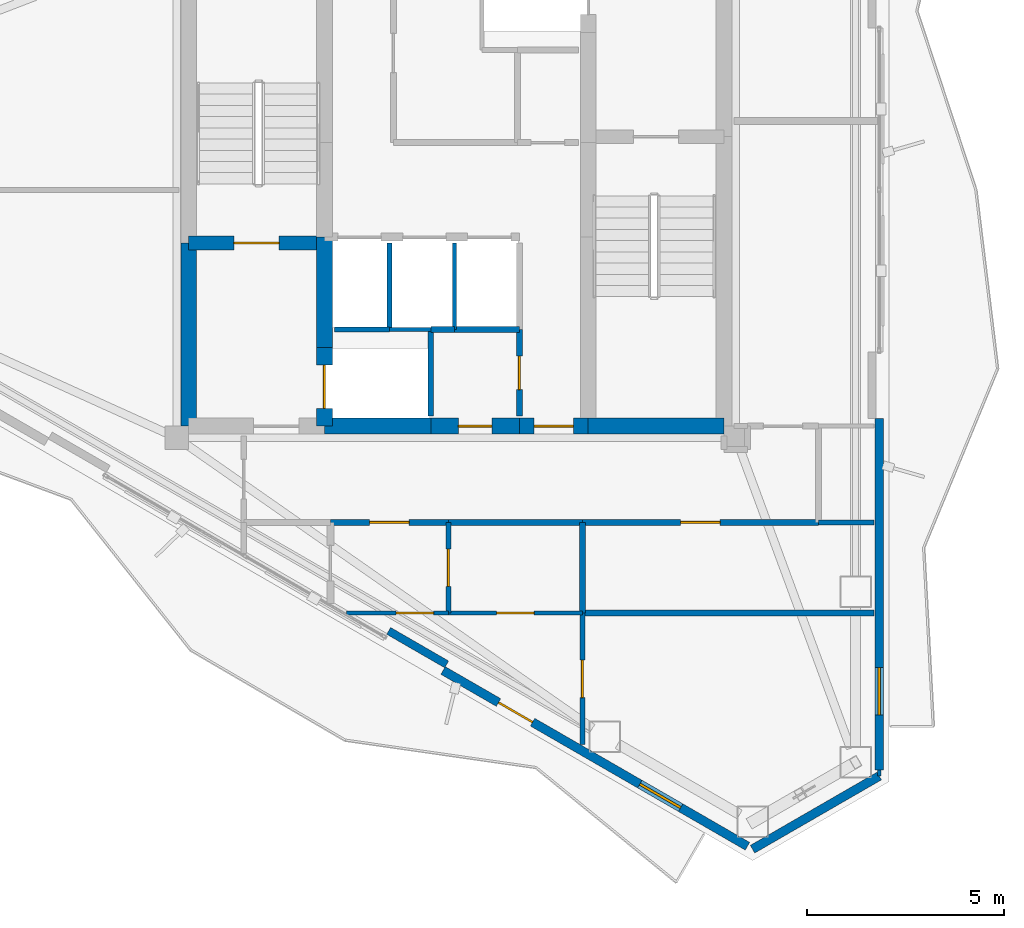
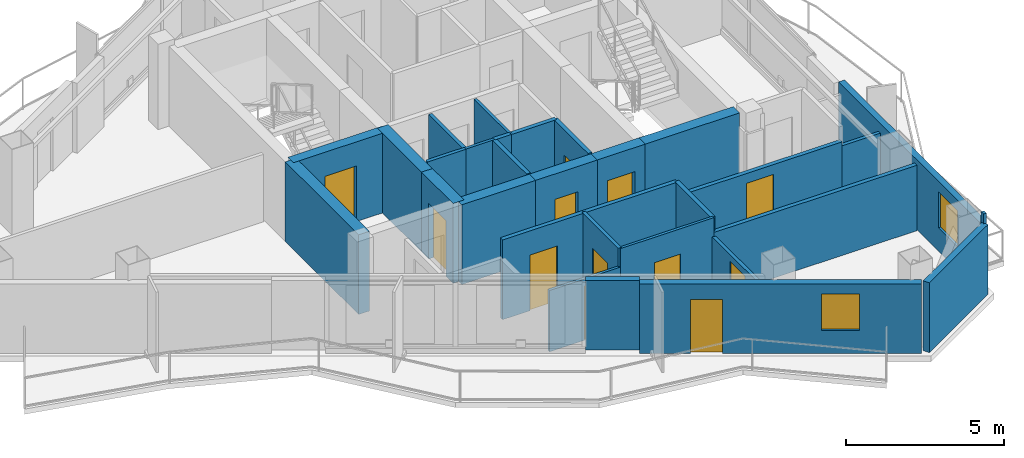
# One storey, part 14 of 18: 31 walls, 12 doors, 2 windows, 14 openings.
"""IFC4 building model written with IfcOpenShell, lengths in metres."""

import ifcopenshell
import ifcopenshell.guid

model = None  # the IFC model being written
_history = None  # IfcOwnerHistory: only IFC2X3 demands one
_inside = {}  # id of a spatial element -> (the spatial element, [elements in it])
_under = {}  # id of a project, library or spatial element -> (it, [spatial elements below it])
_declared = {}  # id of a project -> (the project, [libraries it declares])
_typed = {}  # id of a type object -> (the type object, [elements of that type])
_made_of = {}  # id of a material, layer set ... -> (it, [elements and type objects made of it])


def new_model(schema):
    """Start an empty IFC model of exactly this schema.

    Asked for "IFC4X3", IfcOpenShell would pick the latest addendum, in which some entities
    have other attributes; the version numbers below select the first issue.
    IFC2X3 requires an IfcOwnerHistory on every rooted entity: one is made here for all.
    """
    global model, _history
    if schema == "IFC4X3":
        model = ifcopenshell.file(schema_version=(4, 3, 0, 0))
    else:
        model = ifcopenshell.file(schema=schema)
    _inside.clear()
    _under.clear()
    _declared.clear()
    _typed.clear()
    _made_of.clear()
    _history = None
    if model.schema == "IFC2X3":
        org = make("IfcOrganization", Name="unknown")
        user = make(
            "IfcPersonAndOrganization",
            ThePerson=make("IfcPerson", FamilyName="unknown"),
            TheOrganization=org,
        )
        app = make(
            "IfcApplication",
            ApplicationDeveloper=org,
            Version="unknown",
            ApplicationFullName="unknown",
            ApplicationIdentifier="unknown",
        )
        _history = make(
            "IfcOwnerHistory",
            OwningUser=user,
            OwningApplication=app,
            ChangeAction="ADDED",
            CreationDate=0,
        )
    return model


def make(cls, **values):
    """One entity of the class cls with the attributes given. An attribute that is None is left unset."""
    return model.create_entity(
        cls, **{name: value for name, value in values.items() if value is not None}
    )


def rooted(cls, **values):
    """An entity with a GlobalId (a new one), such as an element, a storey or a relation."""
    return make(cls, GlobalId=ifcopenshell.guid.new(), OwnerHistory=_history, **values)


def si_unit(unit_type, name, prefix=None):
    """IfcSIUnit, for example si_unit("LENGTHUNIT", "METRE", prefix="MILLI")."""
    return make("IfcSIUnit", UnitType=unit_type, Prefix=prefix, Name=name)


def assignment(units):
    """IfcUnitAssignment: the units of a project."""
    return None if units is None else make("IfcUnitAssignment", Units=units)


def point(xyz):
    """IfcCartesianPoint."""
    return None if xyz is None else make("IfcCartesianPoint", Coordinates=xyz)


def direction(xyz):
    """IfcDirection."""
    return None if xyz is None else make("IfcDirection", DirectionRatios=xyz)


def frame(location, z_axis=None, x_axis=None):
    """IfcAxis2Placement3D, a coordinate frame: its origin and axes. An axis left out is left unset."""
    return make(
        "IfcAxis2Placement3D",
        Location=point(location),
        Axis=direction(z_axis),
        RefDirection=direction(x_axis),
    )


def frame_2d(location, x_axis=None):
    """IfcAxis2Placement2D, a coordinate frame in the plane: its origin and x axis."""
    return make(
        "IfcAxis2Placement2D", Location=point(location), RefDirection=direction(x_axis)
    )


def origin():
    """The frame at (0, 0, 0) with its axes left unset."""
    return frame((0.0, 0.0, 0.0))


def place(relative_to, where):
    """IfcLocalPlacement: puts the frame where relative to a parent placement (None: the world)."""
    return make(
        "IfcLocalPlacement", PlacementRelTo=relative_to, RelativePlacement=where
    )


def context(
    kind, dimensions, precision=None, world=None, true_north=None, identifier=None
):
    """IfcGeometricRepresentationContext, for example the 3D "Model" context."""
    return make(
        "IfcGeometricRepresentationContext",
        ContextIdentifier=identifier,
        ContextType=kind,
        CoordinateSpaceDimension=dimensions,
        Precision=precision,
        WorldCoordinateSystem=world,
        TrueNorth=true_north,
    )


def subcontext(parent, identifier, kind, view, scale=None):
    """IfcGeometricRepresentationSubContext, for example "Body" below "Model"."""
    return make(
        "IfcGeometricRepresentationSubContext",
        ContextIdentifier=identifier,
        ContextType=kind,
        ParentContext=parent,
        TargetScale=scale,
        TargetView=view,
    )


def project(units=None, contexts=None):
    """IfcProject with its units and contexts."""
    return rooted(
        "IfcProject",
        Name="project",
        RepresentationContexts=contexts,
        UnitsInContext=assignment(units),
    )


def spatial(cls, under=None, at=None, **own):
    """A site, building, storey or space (cls), placed at a placement, below another one or the project."""
    s = rooted(cls, ObjectPlacement=at, **own)
    if under is not None:
        _under.setdefault(under.id(), (under, []))[1].append(s)
    return s


def profile(cls, at=None, kind="AREA", **sizes):
    """A parametric profile (cls). Its sizes go by their IFC names, for example OverallWidth=200.0."""
    return make(cls, ProfileType=kind, Position=at, **sizes)


def rectangle(**sizes):
    """IfcRectangleProfileDef."""
    return profile("IfcRectangleProfileDef", **sizes)


def extrude(swept, where, along, depth):
    """IfcExtrudedAreaSolid: the profile swept, set in the frame where, extruded along a direction by depth."""
    return make(
        "IfcExtrudedAreaSolid",
        SweptArea=swept,
        Position=where,
        ExtrudedDirection=direction(along),
        Depth=depth,
    )


def shape(context_of_items, identifier, shape_type, items):
    """IfcShapeRepresentation: the items that make up one representation, for example the "Body"."""
    return make(
        "IfcShapeRepresentation",
        ContextOfItems=context_of_items,
        RepresentationIdentifier=identifier,
        RepresentationType=shape_type,
        Items=items,
    )


def material(Name=None, Category=None):
    """IfcMaterial."""
    return make("IfcMaterial", Name=Name, Category=Category)


def layer(
    of_material, thickness, ventilated=None, Name=None, Category=None, Priority=None
):
    """IfcMaterialLayer: one layer of a wall or slab, of a material (None: an air gap)."""
    return make(
        "IfcMaterialLayer",
        Material=of_material,
        LayerThickness=thickness,
        IsVentilated=ventilated,
        Name=Name,
        Category=Category,
        Priority=Priority,
    )


def layer_set(layers, Name=None):
    """IfcMaterialLayerSet."""
    return make("IfcMaterialLayerSet", MaterialLayers=layers, LayerSetName=Name)


def made_of(thing, what):
    """Note that an element or type object is made of a material, layer set ...; save() writes the relation."""
    if what is not None:
        _made_of.setdefault(what.id(), (what, []))[1].append(thing)
    return thing


def type_object(cls, material=None, **own):
    """A type object (cls), such as IfcWallType, which elements share."""
    return made_of(rooted(cls, **own), material)


def element(
    cls,
    number,
    at=None,
    inside=None,
    cuts=None,
    type_object=None,
    material=None,
    context=None,
    identifier="Body",
    shape_type=None,
    held_by="IfcProductDefinitionShape",
    body=None,
    shapes=None,
    **own,
):
    """One element of the class cls, such as IfcWall. Its Tag is "e" and its number.

    at: its placement. inside: the storey or other place that contains it. cuts: it is an
    opening in that element (IfcRelVoidsElement). A single representation is given by context,
    identifier, shape_type and body (its items); several are given by shapes. held_by: the class
    of the entity that holds the representations. save() writes the other relations.
    """
    e = rooted(cls, Tag="e%d" % number, ObjectPlacement=at, **own)
    if body is not None:
        shapes = [shape(context, identifier, shape_type, body)]
    if shapes is not None:
        e.Representation = make(held_by, Representations=shapes)
    if inside is not None:
        _inside.setdefault(inside.id(), (inside, []))[1].append(e)
    if cuts is not None:
        rooted(
            "IfcRelVoidsElement", RelatingBuildingElement=cuts, RelatedOpeningElement=e
        )
    if type_object is not None:
        _typed.setdefault(type_object.id(), (type_object, []))[1].append(e)
    return made_of(e, material)


def fill(opening, filler):
    """IfcRelFillsElement: the door or window that sits in an opening."""
    return rooted(
        "IfcRelFillsElement",
        RelatingOpeningElement=opening,
        RelatedBuildingElement=filler,
    )


def aggregate(whole, parts):
    """IfcRelAggregates: a whole, such as a stair, and the parts it consists of."""
    return rooted("IfcRelAggregates", RelatingObject=whole, RelatedObjects=parts)


def save(model, path):
    """Write the relations noted so far, then the file.

    IfcRelAggregates (storeys below a building ...), IfcRelContainedInSpatialStructure (elements
    in a storey), IfcRelDefinesByType, IfcRelAssociatesMaterial and IfcRelDeclares: one each for
    every whole, place, type object, material and project.
    """
    for whole, parts in _under.values():
        aggregate(whole, parts)
    for where, things in _inside.values():
        rooted(
            "IfcRelContainedInSpatialStructure",
            RelatedElements=things,
            RelatingStructure=where,
        )
    for kind, things in _typed.values():
        rooted("IfcRelDefinesByType", RelatedObjects=things, RelatingType=kind)
    for what, things in _made_of.values():
        rooted("IfcRelAssociatesMaterial", RelatedObjects=things, RelatingMaterial=what)
    for by, libraries in _declared.values():
        rooted("IfcRelDeclares", RelatingContext=by, RelatedDefinitions=libraries)
    model.write(path)


model = new_model("IFC4")

# Units and contexts
model_context = context("Model", 3, precision=1e-05, world=origin(), true_north=direction((0.0, 1.0)))
body_context = subcontext(model_context, "Body", "Model", "MODEL_VIEW")
ifc_project = project(units=[si_unit("LENGTHUNIT", "METRE"), si_unit("AREAUNIT", "SQUARE_METRE"), si_unit("VOLUMEUNIT", "CUBIC_METRE"), si_unit("PLANEANGLEUNIT", "RADIAN"), si_unit("MASSUNIT", "GRAM", prefix="KILO")], contexts=[model_context])

# Site, building, storey
site_placement = place(None, origin())
site = spatial("IfcSite", under=ifc_project, at=site_placement, CompositionType="ELEMENT")
building_placement = place(site_placement, origin())
building = spatial("IfcBuilding", under=site, at=building_placement, Name="Mersakhor Tower and Convention Hall", CompositionType="ELEMENT")
storey_placement = place(building_placement, frame((0.0, 0.0, 226.5)))
storey = spatial("IfcBuildingStorey", under=building, at=storey_placement, Name="L63", CompositionType="ELEMENT", Elevation=226.5)

# Wall
ifc_material_1 = material(Name="Precast concrete C40/50", Category="concrete")
ifc_layer_1 = layer(ifc_material_1, 0.22509765625)
ifc_layer_set_1 = layer_set([ifc_layer_1], Name="Precast concrete C40/50")
wall_type_1 = type_object("IfcWallType", Name="WL-EXT-225", PredefinedType="SOLIDWALL", material=ifc_layer_set_1)
wall_1_placement = place(storey_placement, frame((39.742919921875, 11.858154296875, 0.0), z_axis=(0.0, 0.0, 1.0), x_axis=(-0.866038962515, -0.499976514854, 0.0)))
element("IfcWall", 1, at=wall_1_placement, inside=storey, type_object=wall_type_1, Name="L63 Chamfer Braced Spandrel Wall C2", PredefinedType="SOLIDWALL", context=body_context, shape_type="SweptSolid", body=[
    extrude(rectangle(XDim=3.715576171875, YDim=0.22509765625, at=frame_2d((1.85791015625, 0.0))), origin(), (0.0, 0.0, 1.0), 2.699951171875),
])

# Wall, opening, window
wall_2_placement = place(storey_placement, frame((39.742919921875, 20.93603515625, 0.0), z_axis=(0.0, 0.0, 1.0), x_axis=(0.0, -1.0, 0.0)))
wall_2 = element("IfcWall", 2, at=wall_2_placement, inside=storey, type_object=wall_type_1, Name="L63 Exterior Facade Wall F2-B3", PredefinedType="SOLIDWALL", context=body_context, shape_type="SweptSolid", body=[
    extrude(rectangle(XDim=8.927734375, YDim=0.22509765625, at=frame_2d((4.4638671875, 0.0))), origin(), (0.0, 0.0, 1.0), 2.699951171875),
])
opening_1_placement = place(wall_2_placement, frame((6.322021484375, 0.0, 0.89990234375)))
opening_1 = element("IfcOpeningElement", 3, at=opening_1_placement, cuts=wall_2, Name="Opening W-01", PredefinedType="OPENING", context=body_context, shape_type="SweptSolid", body=[
    extrude(rectangle(XDim=1.199951171875, YDim=1.39990234375, at=frame_2d((0.60009765625, 0.699951171875))), frame((0.0, 0.12255859375, 0.0), z_axis=(0.0, -1.0, 0.0), x_axis=(1.0, 0.0, 0.0)), (0.0, 0.0, 1.0), 0.2451171875),
])
ifc_material_2 = material(Name="Dark solar low-E glazed aluminium window", Category="aluminium")
window_type = type_object("IfcWindowType", Name="WN-RES-120x150", PartitioningType="SINGLE_PANEL", PredefinedType="WINDOW", material=ifc_material_2)
window_1_placement = place(opening_1_placement, origin())
window_1 = element("IfcWindow", 4, at=window_1_placement, inside=storey, type_object=window_type, Name="L63 Bedroom Facade Window F2-B3-1", OverallHeight=1.39990234375, OverallWidth=1.199951171875, PartitioningType="SINGLE_PANEL", PredefinedType="WINDOW", context=body_context, shape_type="SweptSolid", body=[
    extrude(rectangle(XDim=1.199951171875, YDim=1.39990234375, at=frame_2d((0.60009765625, 0.699951171875))), frame((0.0, 0.030029296875, 0.0), z_axis=(0.0, -1.0, 0.0), x_axis=(1.0, 0.0, 0.0)), (0.0, 0.0, 1.0), 0.06005859375),
])
fill(opening_1, window_1)

# Wall, openings, door, window
wall_3_placement = place(storey_placement, frame((36.395263671875, 10.07568359375, 0.0), z_axis=(0.0, 0.0, 1.0), x_axis=(-0.866026655105, 0.499997832642, 0.0)))
wall_3 = element("IfcWall", 5, at=wall_3_placement, inside=storey, type_object=wall_type_1, Name="L63 Exterior Facade Wall F3-B1", PredefinedType="SOLIDWALL", context=body_context, shape_type="SweptSolid", body=[
    extrude(rectangle(XDim=8.927734375, YDim=0.22509765625, at=frame_2d((4.4638671875, 0.0))), origin(), (0.0, 0.0, 1.0), 2.699951171875),
])
opening_2_placement = place(wall_3_placement, frame((6.302001953125, 0.0, 0.0)))
opening_2 = element("IfcOpeningElement", 6, at=opening_2_placement, cuts=wall_3, Name="Opening BD-01", PredefinedType="OPENING", context=body_context, shape_type="SweptSolid", body=[
    extrude(rectangle(XDim=1.0, YDim=2.10009765625, at=frame_2d((0.5, 1.050048828125))), frame((0.0, 0.12255859375, 0.0), z_axis=(0.0, -1.0, 0.0), x_axis=(1.0, 0.0, 0.0)), (0.0, 0.0, 1.0), 0.2451171875),
])
opening_3_placement = place(wall_3_placement, frame((1.9580078125, 0.0, 0.89990234375)))
opening_3 = element("IfcOpeningElement", 7, at=opening_3_placement, cuts=wall_3, Name="Opening W-01", PredefinedType="OPENING", context=body_context, shape_type="SweptSolid", body=[
    extrude(rectangle(XDim=1.199951171875, YDim=1.39990234375, at=frame_2d((0.60009765625, 0.699951171875))), frame((0.0, 0.12255859375, 0.0), z_axis=(0.0, -1.0, 0.0), x_axis=(1.0, 0.0, 0.0)), (0.0, 0.0, 1.0), 0.2451171875),
])
ifc_material_3 = material(Name="Thermally broken dark aluminium and safety glass", Category="aluminium")
door_type_1 = type_object("IfcDoorType", Name="DR-BAL-100x210", OperationType="NOTDEFINED", PredefinedType="DOOR", material=ifc_material_3)
door_1_placement = place(opening_2_placement, origin())
door_1 = element("IfcDoor", 8, at=door_1_placement, inside=storey, type_object=door_type_1, Name="L63 Balcony Terrace Door F3-B1", OperationType="SINGLE_SWING_LEFT", OverallHeight=2.10009765625, OverallWidth=1.0, PredefinedType="DOOR", context=body_context, shape_type="SweptSolid", body=[
    extrude(rectangle(XDim=1.0, YDim=2.10009765625, at=frame_2d((0.5, 1.050048828125))), frame((0.0, 0.02490234375, 0.0), z_axis=(0.0, -1.0, 0.0), x_axis=(1.0, 0.0, 0.0)), (0.0, 0.0, 1.0), 0.050048828125),
])
fill(opening_2, door_1)
window_2_placement = place(opening_3_placement, origin())
window_2 = element("IfcWindow", 9, at=window_2_placement, inside=storey, type_object=window_type, Name="L63 Bedroom Facade Window F3-B1-1", OverallHeight=1.39990234375, OverallWidth=1.199951171875, PartitioningType="SINGLE_PANEL", PredefinedType="WINDOW", context=body_context, shape_type="SweptSolid", body=[
    extrude(rectangle(XDim=1.199951171875, YDim=1.39990234375, at=frame_2d((0.60009765625, 0.699951171875))), frame((0.0, 0.030029296875, 0.0), z_axis=(0.0, -1.0, 0.0), x_axis=(1.0, 0.0, 0.0)), (0.0, 0.0, 1.0), 0.06005859375),
])
fill(opening_3, window_2)

# Walls
ifc_material_4 = material(Name="Precast concrete C40/50", Category="concrete")
ifc_layer_2 = layer(ifc_material_4, 0.199951171875)
ifc_layer_set_2 = layer_set([ifc_layer_2], Name="Precast concrete C40/50")
wall_type_2 = type_object("IfcWallType", Name="WL-PAR-200", PredefinedType="PARAPET", material=ifc_layer_set_2)
wall_4_placement = place(storey_placement, frame((28.753662109375, 14.6953125, 0.0), z_axis=(0.0, 0.0, 1.0), x_axis=(-0.866025371046, 0.500000056704, 0.0)))
element("IfcWall", 10, at=wall_4_placement, inside=storey, type_object=wall_type_2, Name="L63 Column Pier Cladding Wall F3-C1", PredefinedType="PARAPET", context=body_context, shape_type="SweptSolid", body=[
    extrude(rectangle(XDim=1.7001953125, YDim=0.199951171875, at=frame_2d((0.85009765625, 0.0))), origin(), (0.0, 0.0, 1.0), 2.699951171875),
])
ifc_material_5 = material(Name="Lightweight gypsum partition", Category="other")
ifc_layer_3 = layer(ifc_material_5, 0.10009765625)
ifc_layer_set_3 = layer_set([ifc_layer_3], Name="Lightweight gypsum partition")
wall_type_3 = type_object("IfcWallType", Name="WL-PRT-100", PredefinedType="PARTITIONING", material=ifc_layer_set_3)
wall_5_placement = place(storey_placement, frame((27.300048828125, 23.199951171875, 0.0), z_axis=(0.0, 0.0, 1.0), x_axis=(1.0, 0.0, 0.0)))
element("IfcWall", 11, at=wall_5_placement, inside=storey, type_object=wall_type_3, Name="L63 Interior Partition Wall P-002", PredefinedType="PARTITIONING", context=body_context, shape_type="SweptSolid", body=[
    extrude(rectangle(XDim=1.050048828125, YDim=0.10009765625, at=frame_2d((0.52490234375, 0.0))), origin(), (0.0, 0.0, 1.0), 3.080078125),
])
wall_6_placement = place(storey_placement, frame((28.949951171875, 25.39990234375, 0.0), z_axis=(0.0, 0.0, 1.0), x_axis=(0.0, -1.0, 0.0)))
element("IfcWall", 12, at=wall_6_placement, inside=storey, type_object=wall_type_3, Name="L63 Interior Partition Wall P-008", PredefinedType="PARTITIONING", context=body_context, shape_type="SweptSolid", body=[
    extrude(rectangle(XDim=2.199951171875, YDim=0.10009765625, at=frame_2d((1.10009765625, 0.0))), origin(), (0.0, 0.0, 1.0), 3.080078125),
])

# Wall, opening, door
wall_7_placement = place(storey_placement, frame((28.800048828125, 16.0, 0.0), z_axis=(0.0, 0.0, 1.0), x_axis=(-1.0, 0.0, 0.0)))
wall_7 = element("IfcWall", 13, at=wall_7_placement, inside=storey, type_object=wall_type_3, Name="L63 Interior Partition Wall P-040", PredefinedType="PARTITIONING", context=body_context, shape_type="SweptSolid", body=[
    extrude(rectangle(XDim=2.593505859375, YDim=0.10009765625, at=frame_2d((1.296875, 0.0))), origin(), (0.0, 0.0, 1.0), 2.364990234375),
])
opening_4_placement = place(wall_7_placement, frame((0.376708984375, 0.0, 0.0)))
opening_4 = element("IfcOpeningElement", 14, at=opening_4_placement, cuts=wall_7, Name="Opening RD-01", PredefinedType="OPENING", context=body_context, shape_type="SweptSolid", body=[
    extrude(rectangle(XDim=0.949951171875, YDim=2.10009765625, at=frame_2d((0.47509765625, 1.050048828125))), frame((0.0, 0.06005859375, 0.0), z_axis=(0.0, -1.0, 0.0), x_axis=(1.0, 0.0, 0.0)), (0.0, 0.0, 1.0), 0.1201171875),
])
ifc_material_6 = material(Name="Solid-core hardwood leaf in painted steel frame", Category="steel")
door_type_2 = type_object("IfcDoorType", Name="DR-INT-RM-095x210", OperationType="NOTDEFINED", PredefinedType="DOOR", material=ifc_material_6)
door_2_placement = place(opening_4_placement, origin())
door_2 = element("IfcDoor", 15, at=door_2_placement, inside=storey, type_object=door_type_2, Name="L63 L63 Flat S2 Apartment Hall to L63 Flat S2 Living and Dining Room Door", OperationType="SINGLE_SWING_LEFT", OverallHeight=2.10009765625, OverallWidth=0.949951171875, PredefinedType="DOOR", context=body_context, shape_type="SweptSolid", body=[
    extrude(rectangle(XDim=0.949951171875, YDim=2.10009765625, at=frame_2d((0.47509765625, 1.050048828125))), frame((0.0, 0.02490234375, 0.0), z_axis=(0.0, -1.0, 0.0), x_axis=(1.0, 0.0, 0.0)), (0.0, 0.0, 1.0), 0.050048828125),
])
fill(opening_4, door_2)

wall_8_placement = place(storey_placement, frame((32.199951171875, 16.0, 0.0), z_axis=(0.0, 0.0, 1.0), x_axis=(-1.0, 0.0, 0.0)))
wall_8 = element("IfcWall", 16, at=wall_8_placement, inside=storey, type_object=wall_type_3, Name="L63 Interior Partition Wall P-050", PredefinedType="PARTITIONING", context=body_context, shape_type="SweptSolid", body=[
    extrude(rectangle(XDim=3.39990234375, YDim=0.10009765625, at=frame_2d((1.699951171875, 0.0))), origin(), (0.0, 0.0, 1.0), 3.080078125),
])
opening_5_placement = place(wall_8_placement, frame((1.22509765625, 0.0, 0.0)))
opening_5 = element("IfcOpeningElement", 17, at=opening_5_placement, cuts=wall_8, Name="Opening RD-01", PredefinedType="OPENING", context=body_context, shape_type="SweptSolid", body=[
    extrude(rectangle(XDim=0.949951171875, YDim=2.10009765625, at=frame_2d((0.47509765625, 1.050048828125))), frame((0.0, 0.06005859375, 0.0), z_axis=(0.0, -1.0, 0.0), x_axis=(1.0, 0.0, 0.0)), (0.0, 0.0, 1.0), 0.1201171875),
])
door_3_placement = place(opening_5_placement, origin())
door_3 = element("IfcDoor", 18, at=door_3_placement, inside=storey, type_object=door_type_2, Name="L63 L63 Flat S2 Kitchen to L63 Flat S2 Living and Dining Room Door", OperationType="SINGLE_SWING_LEFT", OverallHeight=2.10009765625, OverallWidth=0.949951171875, PredefinedType="DOOR", context=body_context, shape_type="SweptSolid", body=[
    extrude(rectangle(XDim=0.949951171875, YDim=2.10009765625, at=frame_2d((0.47509765625, 1.050048828125))), frame((0.0, 0.02490234375, 0.0), z_axis=(0.0, -1.0, 0.0), x_axis=(1.0, 0.0, 0.0)), (0.0, 0.0, 1.0), 0.050048828125),
])
fill(opening_5, door_3)

# Walls
wall_9_placement = place(storey_placement, frame((39.742919921875, 12.00830078125, 0.0), z_axis=(0.0, 0.0, 1.0), x_axis=(0.0, -1.0, 0.0)))
element("IfcWall", 19, at=wall_9_placement, inside=storey, type_object=wall_type_3, Name="L63 Interior Partition Wall P-066", PredefinedType="PARTITIONING", context=body_context, shape_type="SweptSolid", body=[
    extrude(rectangle(XDim=0.150390625, YDim=0.10009765625, at=frame_2d((0.0751953125, 0.0))), origin(), (0.0, 0.0, 1.0), 3.080078125),
])
ifc_material_7 = material(Name="Gypsum board acoustic partition", Category="other")
ifc_layer_4 = layer(ifc_material_7, 0.125)
ifc_layer_set_4 = layer_set([ifc_layer_4], Name="Gypsum board acoustic partition")
wall_type_4 = type_object("IfcWallType", Name="WL-PRT-125", PredefinedType="PARTITIONING", material=ifc_layer_set_4)
wall_10_placement = place(storey_placement, frame((25.89990234375, 23.199951171875, 0.0), z_axis=(0.0, 0.0, 1.0), x_axis=(1.0, 0.0, 0.0)))
element("IfcWall", 20, at=wall_10_placement, inside=storey, type_object=wall_type_4, Name="L63 Interior Partition Wall P-001", PredefinedType="PARTITIONING", context=body_context, shape_type="SweptSolid", body=[
    extrude(rectangle(XDim=1.400146484375, YDim=0.125, at=frame_2d((0.7001953125, 0.0))), origin(), (0.0, 0.0, 1.0), 3.080078125),
])
wall_11_placement = place(storey_placement, frame((27.300048828125, 25.39990234375, 0.0), z_axis=(0.0, 0.0, 1.0), x_axis=(0.0, -1.0, 0.0)))
element("IfcWall", 21, at=wall_11_placement, inside=storey, type_object=wall_type_4, Name="L63 Interior Partition Wall P-007", PredefinedType="PARTITIONING", context=body_context, shape_type="SweptSolid", body=[
    extrude(rectangle(XDim=2.199951171875, YDim=0.125, at=frame_2d((1.10009765625, 0.0))), origin(), (0.0, 0.0, 1.0), 3.080078125),
])

# Wall, opening, door
wall_12_placement = place(storey_placement, frame((28.800048828125, 18.300048828125, 0.0), z_axis=(0.0, 0.0, 1.0), x_axis=(0.0, -1.0, 0.0)))
wall_12 = element("IfcWall", 22, at=wall_12_placement, inside=storey, type_object=wall_type_4, Name="L63 Interior Partition Wall P-039", PredefinedType="PARTITIONING", context=body_context, shape_type="SweptSolid", body=[
    extrude(rectangle(XDim=2.300048828125, YDim=0.125, at=frame_2d((1.14990234375, 0.0))), origin(), (0.0, 0.0, 1.0), 3.080078125),
])
opening_6_placement = place(wall_12_placement, frame((0.675048828125, 0.0, 0.0)))
opening_6 = element("IfcOpeningElement", 23, at=opening_6_placement, cuts=wall_12, Name="Opening RD-01", PredefinedType="OPENING", context=body_context, shape_type="SweptSolid", body=[
    extrude(rectangle(XDim=0.949951171875, YDim=2.10009765625, at=frame_2d((0.47509765625, 1.050048828125))), frame((0.0, 0.072509765625, 0.0), z_axis=(0.0, -1.0, 0.0), x_axis=(1.0, 0.0, 0.0)), (0.0, 0.0, 1.0), 0.14501953125),
])
door_4_placement = place(opening_6_placement, origin())
door_4 = element("IfcDoor", 24, at=door_4_placement, inside=storey, type_object=door_type_2, Name="L63 L63 Flat S2 Apartment Hall to L63 Flat S2 Kitchen Door", OperationType="SINGLE_SWING_RIGHT", OverallHeight=2.10009765625, OverallWidth=0.949951171875, PredefinedType="DOOR", context=body_context, shape_type="SweptSolid", body=[
    extrude(rectangle(XDim=0.949951171875, YDim=2.10009765625, at=frame_2d((0.47509765625, 1.050048828125))), frame((0.0, 0.02490234375, 0.0), z_axis=(0.0, -1.0, 0.0), x_axis=(1.0, 0.0, 0.0)), (0.0, 0.0, 1.0), 0.050048828125),
])
fill(opening_6, door_4)

# Wall
wall_13_placement = place(storey_placement, frame((38.199951171875, 18.300048828125, 0.0), z_axis=(0.0, 0.0, 1.0), x_axis=(1.0, 0.0, 0.0)))
element("IfcWall", 25, at=wall_13_placement, inside=storey, type_object=wall_type_4, Name="L63 Interior Partition Wall P-055", PredefinedType="PARTITIONING", context=body_context, shape_type="SweptSolid", body=[
    extrude(rectangle(XDim=1.40625, YDim=0.125, at=frame_2d((0.703125, 0.0))), origin(), (0.0, 0.0, 1.0), 2.364990234375),
])

# Wall, opening, door
wall_14_placement = place(storey_placement, frame((32.199951171875, 16.0, 0.0), z_axis=(0.0, 0.0, 1.0), x_axis=(0.0, -1.0, 0.0)))
wall_14 = element("IfcWall", 26, at=wall_14_placement, inside=storey, type_object=wall_type_4, Name="L63 Interior Partition Wall P-065", PredefinedType="PARTITIONING", context=body_context, shape_type="SweptSolid", body=[
    extrude(rectangle(XDim=3.344482421875, YDim=0.125, at=frame_2d((1.67236328125, 0.0))), origin(), (0.0, 0.0, 1.0), 2.364990234375),
])
opening_7_placement = place(wall_14_placement, frame((1.197265625, 0.0, 0.0)))
opening_7 = element("IfcOpeningElement", 27, at=opening_7_placement, cuts=wall_14, Name="Opening RD-01", PredefinedType="OPENING", context=body_context, shape_type="SweptSolid", body=[
    extrude(rectangle(XDim=0.949951171875, YDim=2.10009765625, at=frame_2d((0.47509765625, 1.050048828125))), frame((0.0, 0.072509765625, 0.0), z_axis=(0.0, -1.0, 0.0), x_axis=(1.0, 0.0, 0.0)), (0.0, 0.0, 1.0), 0.14501953125),
])
door_5_placement = place(opening_7_placement, origin())
door_5 = element("IfcDoor", 28, at=door_5_placement, inside=storey, type_object=door_type_2, Name="L63 L63 Flat S2 Living and Dining Room to L63 Flat S2 Master Bedroom Door", OperationType="SINGLE_SWING_LEFT", OverallHeight=2.10009765625, OverallWidth=0.949951171875, PredefinedType="DOOR", context=body_context, shape_type="SweptSolid", body=[
    extrude(rectangle(XDim=0.949951171875, YDim=2.10009765625, at=frame_2d((0.47509765625, 1.050048828125))), frame((0.0, 0.02490234375, 0.0), z_axis=(0.0, -1.0, 0.0), x_axis=(1.0, 0.0, 0.0)), (0.0, 0.0, 1.0), 0.050048828125),
])
fill(opening_7, door_5)

# Walls
ifc_material_8 = material(Name="Fire-rated gypsum board stud partition", Category="other")
ifc_layer_5 = layer(ifc_material_8, 0.14990234375)
ifc_layer_set_5 = layer_set([ifc_layer_5], Name="Fire-rated gypsum board stud partition")
wall_type_5 = type_object("IfcWallType", Name="WL-PRT-150", PredefinedType="PARTITIONING", material=ifc_layer_set_5)
wall_15_placement = place(storey_placement, frame((28.35009765625, 23.199951171875, 0.0), z_axis=(0.0, 0.0, 1.0), x_axis=(0.0, -1.0, 0.0)))
element("IfcWall", 29, at=wall_15_placement, inside=storey, type_object=wall_type_5, Name="L63 Interior Partition Wall P-003", PredefinedType="PARTITIONING", context=body_context, shape_type="SweptSolid", body=[
    extrude(rectangle(XDim=2.199951171875, YDim=0.14990234375, at=frame_2d((1.10009765625, 0.0))), origin(), (0.0, 0.0, 1.0), 3.080078125),
])
wall_16_placement = place(storey_placement, frame((28.949951171875, 23.199951171875, 0.0), z_axis=(0.0, 0.0, 1.0), x_axis=(-1.0, 0.0, 0.0)))
element("IfcWall", 30, at=wall_16_placement, inside=storey, type_object=wall_type_5, Name="L63 Interior Partition Wall P-009", PredefinedType="PARTITIONING", context=body_context, shape_type="SweptSolid", body=[
    extrude(rectangle(XDim=0.599853515625, YDim=0.14990234375, at=frame_2d((0.2998046875, 0.0))), origin(), (0.0, 0.0, 1.0), 3.080078125),
])
wall_17_placement = place(storey_placement, frame((30.60009765625, 23.199951171875, 0.0), z_axis=(0.0, 0.0, 1.0), x_axis=(-1.0, 0.0, 0.0)))
element("IfcWall", 31, at=wall_17_placement, inside=storey, type_object=wall_type_5, Name="L63 Interior Partition Wall P-011", PredefinedType="PARTITIONING", context=body_context, shape_type="SweptSolid", body=[
    extrude(rectangle(XDim=1.650146484375, YDim=0.14990234375, at=frame_2d((0.8251953125, 0.0))), origin(), (0.0, 0.0, 1.0), 3.080078125),
])

# Wall, opening, door
wall_18_placement = place(storey_placement, frame((30.60009765625, 21.0, 0.0), z_axis=(0.0, 0.0, 1.0), x_axis=(0.0, 1.0, 0.0)))
wall_18 = element("IfcWall", 32, at=wall_18_placement, inside=storey, type_object=wall_type_5, Name="L63 Interior Partition Wall P-012", PredefinedType="PARTITIONING", context=body_context, shape_type="SweptSolid", body=[
    extrude(rectangle(XDim=2.199951171875, YDim=0.14990234375, at=frame_2d((1.10009765625, 0.0))), origin(), (0.0, 0.0, 1.0), 3.080078125),
])
opening_8_placement = place(wall_18_placement, frame((0.675048828125, 0.0, 0.0)))
opening_8 = element("IfcOpeningElement", 33, at=opening_8_placement, cuts=wall_18, Name="Opening SVD-01", PredefinedType="OPENING", context=body_context, shape_type="SweptSolid", body=[
    extrude(rectangle(XDim=0.85009765625, YDim=2.10009765625, at=frame_2d((0.425048828125, 1.050048828125))), frame((0.0, 0.0849609375, 0.0), z_axis=(0.0, -1.0, 0.0), x_axis=(1.0, 0.0, 0.0)), (0.0, 0.0, 1.0), 0.169921875),
])
ifc_material_9 = material(Name="Fire-rated hardwood leaf and painted steel frame", Category="steel")
door_type_3 = type_object("IfcDoorType", Name="DR-INT-SVC-085x210", OperationType="NOTDEFINED", PredefinedType="DOOR", material=ifc_material_9)
door_6_placement = place(opening_8_placement, origin())
door_6 = element("IfcDoor", 34, at=door_6_placement, inside=storey, type_object=door_type_3, Name="L63 Central Passenger Lift Lobby to Electrical Distribution Room Door", OperationType="SINGLE_SWING_LEFT", OverallHeight=2.10009765625, OverallWidth=0.85009765625, PredefinedType="DOOR", context=body_context, shape_type="SweptSolid", body=[
    extrude(rectangle(XDim=0.85009765625, YDim=2.10009765625, at=frame_2d((0.425048828125, 1.050048828125))), frame((0.0, 0.02490234375, 0.0), z_axis=(0.0, -1.0, 0.0), x_axis=(1.0, 0.0, 0.0)), (0.0, 0.0, 1.0), 0.050048828125),
])
fill(opening_8, door_6)

wall_19_placement = place(storey_placement, frame((38.199951171875, 18.300048828125, 0.0), z_axis=(0.0, 0.0, 1.0), x_axis=(-1.0, 0.0, 0.0)))
wall_19 = element("IfcWall", 35, at=wall_19_placement, inside=storey, type_object=wall_type_5, Name="L63 Interior Partition Wall P-030", PredefinedType="PARTITIONING", context=body_context, shape_type="SweptSolid", body=[
    extrude(rectangle(XDim=6.0, YDim=0.14990234375, at=frame_2d((3.0, 0.0))), origin(), (0.0, 0.0, 1.0), 2.5283203125),
])
opening_9_placement = place(wall_19_placement, frame((2.5, 0.0, 0.0)))
opening_9 = element("IfcOpeningElement", 36, at=opening_9_placement, cuts=wall_19, Name="Opening FD-01", PredefinedType="OPENING", context=body_context, shape_type="SweptSolid", body=[
    extrude(rectangle(XDim=1.0, YDim=2.14990234375, at=frame_2d((0.5, 1.074951171875))), frame((0.0, 0.0849609375, 0.0), z_axis=(0.0, -1.0, 0.0), x_axis=(1.0, 0.0, 0.0)), (0.0, 0.0, 1.0), 0.169921875),
])
ifc_material_10 = material(Name="Fire-rated hardwood leaf and painted steel frame", Category="steel")
door_type_4 = type_object("IfcDoorType", Name="DR-INT-FLT-100x215", OperationType="NOTDEFINED", PredefinedType="DOOR", material=ifc_material_10)
door_7_placement = place(opening_9_placement, origin())
door_7 = element("IfcDoor", 37, at=door_7_placement, inside=storey, type_object=door_type_4, Name="L63 Residential South Gallery Corridor to L63 South-East Shared Pantry Door", OperationType="SINGLE_SWING_LEFT", OverallHeight=2.14990234375, OverallWidth=1.0, PredefinedType="DOOR", context=body_context, shape_type="SweptSolid", body=[
    extrude(rectangle(XDim=1.0, YDim=2.14990234375, at=frame_2d((0.5, 1.074951171875))), frame((0.0, 0.02490234375, 0.0), z_axis=(0.0, -1.0, 0.0), x_axis=(1.0, 0.0, 0.0)), (0.0, 0.0, 1.0), 0.050048828125),
])
fill(opening_9, door_7)

# Wall
wall_20_placement = place(storey_placement, frame((32.199951171875, 18.300048828125, 0.0), z_axis=(0.0, 0.0, 1.0), x_axis=(-1.0, 0.0, 0.0)))
element("IfcWall", 38, at=wall_20_placement, inside=storey, type_object=wall_type_5, Name="L63 Interior Partition Wall P-031", PredefinedType="PARTITIONING", context=body_context, shape_type="SweptSolid", body=[
    extrude(rectangle(XDim=3.39990234375, YDim=0.14990234375, at=frame_2d((1.699951171875, 0.0))), origin(), (0.0, 0.0, 1.0), 3.080078125),
])

# Wall, opening, door
wall_21_placement = place(storey_placement, frame((28.800048828125, 18.300048828125, 0.0), z_axis=(0.0, 0.0, 1.0), x_axis=(-1.0, 0.0, 0.0)))
wall_21 = element("IfcWall", 39, at=wall_21_placement, inside=storey, type_object=wall_type_5, Name="L63 Interior Partition Wall P-032", PredefinedType="PARTITIONING", context=body_context, shape_type="SweptSolid", body=[
    extrude(rectangle(XDim=3.0, YDim=0.14990234375, at=frame_2d((1.5, 0.0))), origin(), (0.0, 0.0, 1.0), 3.080078125),
])
opening_10_placement = place(wall_21_placement, frame((1.0, 0.0, 0.0)))
opening_10 = element("IfcOpeningElement", 40, at=opening_10_placement, cuts=wall_21, Name="Opening FD-01", PredefinedType="OPENING", context=body_context, shape_type="SweptSolid", body=[
    extrude(rectangle(XDim=1.0, YDim=2.14990234375, at=frame_2d((0.5, 1.074951171875))), frame((0.0, 0.0849609375, 0.0), z_axis=(0.0, -1.0, 0.0), x_axis=(1.0, 0.0, 0.0)), (0.0, 0.0, 1.0), 0.169921875),
])
door_8_placement = place(opening_10_placement, origin())
door_8 = element("IfcDoor", 41, at=door_8_placement, inside=storey, type_object=door_type_4, Name="L63 Apartment Entrance Door (Residential South Gallery Corridor to L63 Flat S2 Apartment Hall)", OperationType="SINGLE_SWING_LEFT", OverallHeight=2.14990234375, OverallWidth=1.0, PredefinedType="DOOR", context=body_context, shape_type="SweptSolid", body=[
    extrude(rectangle(XDim=1.0, YDim=2.14990234375, at=frame_2d((0.5, 1.074951171875))), frame((0.0, 0.02490234375, 0.0), z_axis=(0.0, -1.0, 0.0), x_axis=(1.0, 0.0, 0.0)), (0.0, 0.0, 1.0), 0.050048828125),
])
fill(opening_10, door_8)

# Walls
wall_22_placement = place(storey_placement, frame((32.199951171875, 18.300048828125, 0.0), z_axis=(0.0, 0.0, 1.0), x_axis=(0.0, -1.0, 0.0)))
element("IfcWall", 42, at=wall_22_placement, inside=storey, type_object=wall_type_5, Name="L63 Interior Partition Wall P-051", PredefinedType="PARTITIONING", context=body_context, shape_type="SweptSolid", body=[
    extrude(rectangle(XDim=2.300048828125, YDim=0.14990234375, at=frame_2d((1.14990234375, 0.0))), origin(), (0.0, 0.0, 1.0), 3.080078125),
])
wall_23_placement = place(storey_placement, frame((39.606201171875, 16.0, 0.0), z_axis=(0.0, 0.0, 1.0), x_axis=(-1.0, 0.0, 0.0)))
element("IfcWall", 43, at=wall_23_placement, inside=storey, type_object=wall_type_5, Name="L63 Interior Partition Wall P-056", PredefinedType="PARTITIONING", context=body_context, shape_type="SweptSolid", body=[
    extrude(rectangle(XDim=7.40625, YDim=0.14990234375, at=frame_2d((3.703125, 0.0))), origin(), (0.0, 0.0, 1.0), 2.5283203125),
])

# Wall, opening, door
ifc_material_11 = material(Name="Concrete C50/60", Category="concrete")
ifc_layer_6 = layer(ifc_material_11, 0.35009765625)
ifc_layer_set_6 = layer_set([ifc_layer_6], Name="Concrete C50/60")
wall_type_6 = type_object("IfcWallType", Name="WL-SHR-350", PredefinedType="SHEAR", material=ifc_layer_set_6)
wall_24_placement = place(storey_placement, frame((22.199951171875, 25.39990234375, 0.0), z_axis=(0.0, 0.0, 1.0), x_axis=(1.0, 0.0, 0.0)))
wall_24 = element("IfcWall", 44, at=wall_24_placement, inside=storey, type_object=wall_type_6, Name="L63 Core Wall CS-ST1-S", PredefinedType="SHEAR", context=body_context, shape_type="SweptSolid", body=[
    extrude(rectangle(XDim=3.449951171875, YDim=0.35009765625, at=frame_2d((1.72509765625, 0.0))), origin(), (0.0, 0.0, 1.0), 3.080078125),
])
opening_11_placement = place(wall_24_placement, frame((1.14990234375, 0.0, 0.0)))
opening_11 = element("IfcOpeningElement", 45, at=opening_11_placement, cuts=wall_24, Name="Opening SD-01", PredefinedType="OPENING", context=body_context, shape_type="SweptSolid", body=[
    extrude(rectangle(XDim=1.14990234375, YDim=2.14990234375, at=frame_2d((0.574951171875, 1.074951171875))), frame((0.0, 0.18505859375, 0.0), z_axis=(0.0, -1.0, 0.0), x_axis=(1.0, 0.0, 0.0)), (0.0, 0.0, 1.0), 0.3701171875),
])
ifc_material_12 = material(Name="Fire-rated hardwood leaf and painted steel frame", Category="steel")
door_type_5 = type_object("IfcDoorType", Name="DR-INT-STAIR-115x215", OperationType="NOTDEFINED", PredefinedType="DOOR", material=ifc_material_12)
door_9_placement = place(opening_11_placement, origin())
door_9 = element("IfcDoor", 46, at=door_9_placement, inside=storey, type_object=door_type_5, Name="L63 Exit Stair ST-1 Enclosure Door", OperationType="SINGLE_SWING_LEFT", OverallHeight=2.14990234375, OverallWidth=1.14990234375, PredefinedType="DOOR", context=body_context, shape_type="SweptSolid", body=[
    extrude(rectangle(XDim=1.14990234375, YDim=2.14990234375, at=frame_2d((0.574951171875, 1.074951171875))), frame((0.0, 0.02490234375, 0.0), z_axis=(0.0, -1.0, 0.0), x_axis=(1.0, 0.0, 0.0)), (0.0, 0.0, 1.0), 0.050048828125),
])
fill(opening_11, door_9)

# Walls
ifc_material_13 = material(Name="Concrete C60/75", Category="concrete")
ifc_layer_7 = layer(ifc_material_13, 0.39990234375)
ifc_layer_set_7 = layer_set([ifc_layer_7], Name="Concrete C60/75")
wall_type_7 = type_object("IfcWallType", Name="WL-SHR-400", PredefinedType="SHEAR", material=ifc_layer_set_7)
wall_25_placement = place(storey_placement, frame((22.199951171875, 20.75, 0.0), z_axis=(0.0, 0.0, 1.0), x_axis=(0.0, 1.0, 0.0)))
element("IfcWall", 47, at=wall_25_placement, inside=storey, type_object=wall_type_7, Name="L63 Core Wall CW-W1", PredefinedType="SHEAR", context=body_context, shape_type="SweptSolid", body=[
    extrude(rectangle(XDim=4.64990234375, YDim=0.39990234375, at=frame_2d((2.324951171875, 0.0))), origin(), (0.0, 0.0, 1.0), 3.080078125),
])
wall_26_placement = place(storey_placement, frame((35.800048828125, 20.75, 0.0), z_axis=(0.0, 0.0, 1.0), x_axis=(-1.0, 0.0, 0.0)))
element("IfcWall", 48, at=wall_26_placement, inside=storey, type_object=wall_type_7, Name="L63 Core Wall CW-S1", PredefinedType="SHEAR", context=body_context, shape_type="SweptSolid", body=[
    extrude(rectangle(XDim=3.449951171875, YDim=0.39990234375, at=frame_2d((1.72509765625, 0.0))), origin(), (0.0, 0.0, 1.0), 3.080078125),
])

# Wall, opening, door
wall_27_placement = place(storey_placement, frame((32.35009765625, 20.75, 0.0), z_axis=(0.0, 0.0, 1.0), x_axis=(-1.0, 0.0, 0.0)))
wall_27 = element("IfcWall", 49, at=wall_27_placement, inside=storey, type_object=wall_type_7, Name="L63 Core Wall CW-S2A", PredefinedType="SHEAR", context=body_context, shape_type="SweptSolid", body=[
    extrude(rectangle(XDim=1.75, YDim=0.39990234375, at=frame_2d((0.875, 0.0))), origin(), (0.0, 0.0, 1.0), 3.080078125),
])
opening_12_placement = place(wall_27_placement, frame((0.375, 0.0, 0.0)))
opening_12 = element("IfcOpeningElement", 50, at=opening_12_placement, cuts=wall_27, Name="Opening CFD-01", PredefinedType="OPENING", context=body_context, shape_type="SweptSolid", body=[
    extrude(rectangle(XDim=1.0, YDim=2.14990234375, at=frame_2d((0.5, 1.074951171875))), frame((0.0, 0.2099609375, 0.0), z_axis=(0.0, -1.0, 0.0), x_axis=(1.0, 0.0, 0.0)), (0.0, 0.0, 1.0), 0.419921875),
])
ifc_material_14 = material(Name="Fire-rated hardwood leaf and painted steel frame", Category="steel")
door_type_6 = type_object("IfcDoorType", Name="DR-CORE-FD-100x215", OperationType="NOTDEFINED", PredefinedType="DOOR", material=ifc_material_14)
door_10_placement = place(opening_12_placement, origin())
door_10 = element("IfcDoor", 51, at=door_10_placement, inside=storey, type_object=door_type_6, Name="L63 Lift Lobby South Corridor Door", OperationType="SINGLE_SWING_RIGHT", OverallHeight=2.14990234375, OverallWidth=1.0, PredefinedType="DOOR", context=body_context, shape_type="SweptSolid", body=[
    extrude(rectangle(XDim=1.0, YDim=2.14990234375, at=frame_2d((0.5, 1.074951171875))), frame((0.0, 0.02490234375, 0.0), z_axis=(0.0, -1.0, 0.0), x_axis=(1.0, 0.0, 0.0)), (0.0, 0.0, 1.0), 0.050048828125),
])
fill(opening_12, door_10)

wall_28_placement = place(storey_placement, frame((30.60009765625, 20.75, 0.0), z_axis=(0.0, 0.0, 1.0), x_axis=(-1.0, 0.0, 0.0)))
wall_28 = element("IfcWall", 52, at=wall_28_placement, inside=storey, type_object=wall_type_7, Name="L63 Core Wall CW-S2B", PredefinedType="SHEAR", context=body_context, shape_type="SweptSolid", body=[
    extrude(rectangle(XDim=2.25, YDim=0.39990234375, at=frame_2d((1.125, 0.0))), origin(), (0.0, 0.0, 1.0), 3.080078125),
])
opening_13_placement = place(wall_28_placement, frame((0.699951171875, 0.0, 0.0)))
opening_13 = element("IfcOpeningElement", 53, at=opening_13_placement, cuts=wall_28, Name="Opening SVD-01", PredefinedType="OPENING", context=body_context, shape_type="SweptSolid", body=[
    extrude(rectangle(XDim=0.85009765625, YDim=2.10009765625, at=frame_2d((0.425048828125, 1.050048828125))), frame((0.0, 0.2099609375, 0.0), z_axis=(0.0, -1.0, 0.0), x_axis=(1.0, 0.0, 0.0)), (0.0, 0.0, 1.0), 0.419921875),
])
door_11_placement = place(opening_13_placement, origin())
door_11 = element("IfcDoor", 54, at=door_11_placement, inside=storey, type_object=door_type_3, Name="L63 Residential South Gallery Corridor to Electrical Distribution Room Door", OperationType="SINGLE_SWING_RIGHT", OverallHeight=2.10009765625, OverallWidth=0.85009765625, PredefinedType="DOOR", context=body_context, shape_type="SweptSolid", body=[
    extrude(rectangle(XDim=0.85009765625, YDim=2.10009765625, at=frame_2d((0.425048828125, 1.050048828125))), frame((0.0, 0.02490234375, 0.0), z_axis=(0.0, -1.0, 0.0), x_axis=(1.0, 0.0, 0.0)), (0.0, 0.0, 1.0), 0.050048828125),
])
fill(opening_13, door_11)

# Wall
wall_29_placement = place(storey_placement, frame((28.35009765625, 20.75, 0.0), z_axis=(0.0, 0.0, 1.0), x_axis=(-1.0, 0.0, 0.0)))
element("IfcWall", 55, at=wall_29_placement, inside=storey, type_object=wall_type_7, Name="L63 Core Wall CW-S3", PredefinedType="SHEAR", context=body_context, shape_type="SweptSolid", body=[
    extrude(rectangle(XDim=2.7001953125, YDim=0.39990234375, at=frame_2d((1.35009765625, 0.0))), origin(), (0.0, 0.0, 1.0), 3.080078125),
])

# Wall, opening, door
wall_30_placement = place(storey_placement, frame((25.64990234375, 20.75, 0.0), z_axis=(0.0, 0.0, 1.0), x_axis=(0.0, 1.0, 0.0)))
wall_30 = element("IfcWall", 56, at=wall_30_placement, inside=storey, type_object=wall_type_7, Name="L63 Core Wall CS-W-FFL", PredefinedType="SHEAR", context=body_context, shape_type="SweptSolid", body=[
    extrude(rectangle(XDim=2.0, YDim=0.39990234375, at=frame_2d((1.0, 0.0))), origin(), (0.0, 0.0, 1.0), 3.080078125),
])
opening_14_placement = place(wall_30_placement, frame((0.449951171875, 0.0, 0.0)))
opening_14 = element("IfcOpeningElement", 57, at=opening_14_placement, cuts=wall_30, Name="Opening LD-FFL1", PredefinedType="OPENING", context=body_context, shape_type="SweptSolid", body=[
    extrude(rectangle(XDim=1.10009765625, YDim=2.14990234375, at=frame_2d((0.550048828125, 1.074951171875))), frame((0.0, 0.2099609375, 0.0), z_axis=(0.0, -1.0, 0.0), x_axis=(1.0, 0.0, 0.0)), (0.0, 0.0, 1.0), 0.419921875),
])
ifc_material_15 = material(Name="Fire-rated brushed stainless steel sliding landing door", Category="steel")
door_type_7 = type_object("IfcDoorType", Name="DR-LIFT-SLD-110x215", OperationType="NOTDEFINED", PredefinedType="DOOR", material=ifc_material_15)
door_12_placement = place(opening_14_placement, origin())
door_12 = element("IfcDoor", 58, at=door_12_placement, inside=storey, type_object=door_type_7, Name="L63 Firefighting Lift Landing Door LD-FFL1", OperationType="SLIDING_TO_LEFT", OverallHeight=2.14990234375, OverallWidth=1.10009765625, PredefinedType="DOOR", context=body_context, shape_type="SweptSolid", body=[
    extrude(rectangle(XDim=1.10009765625, YDim=2.14990234375, at=frame_2d((0.550048828125, 1.074951171875))), frame((0.0, 0.02490234375, 0.0), z_axis=(0.0, -1.0, 0.0), x_axis=(1.0, 0.0, 0.0)), (0.0, 0.0, 1.0), 0.050048828125),
])
fill(opening_14, door_12)

# Wall
wall_31_placement = place(storey_placement, frame((25.64990234375, 22.75, 0.0), z_axis=(0.0, 0.0, 1.0), x_axis=(0.0, 1.0, 0.0)))
element("IfcWall", 59, at=wall_31_placement, inside=storey, type_object=wall_type_7, Name="L63 Core Wall CS-W-MID", PredefinedType="SHEAR", context=body_context, shape_type="SweptSolid", body=[
    extrude(rectangle(XDim=2.800048828125, YDim=0.39990234375, at=frame_2d((1.39990234375, 0.0))), origin(), (0.0, 0.0, 1.0), 3.080078125),
])

save(model, "model.ifc")
